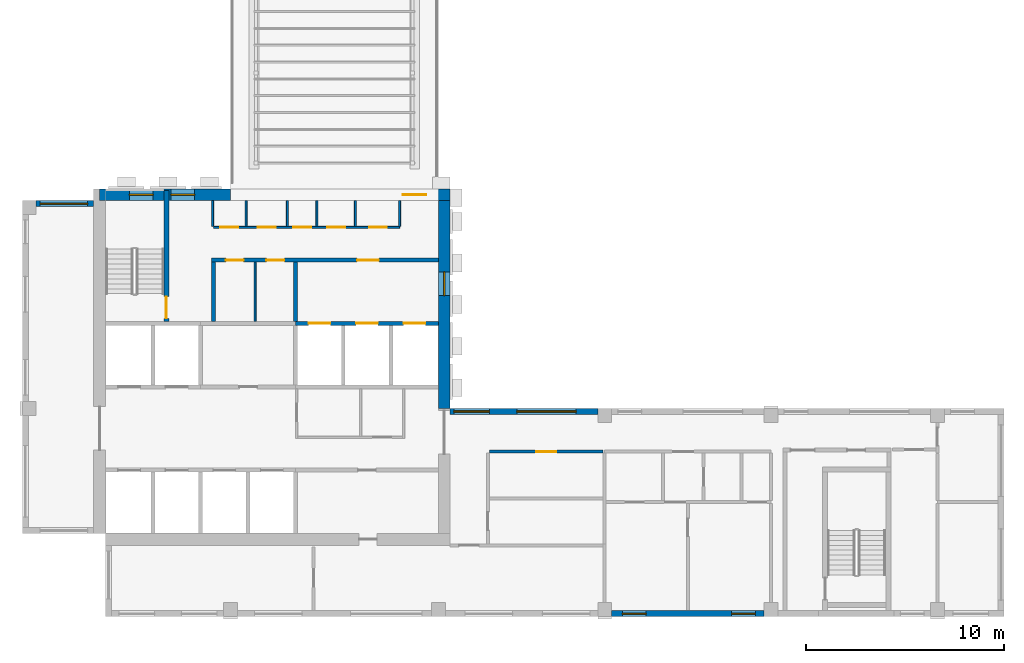
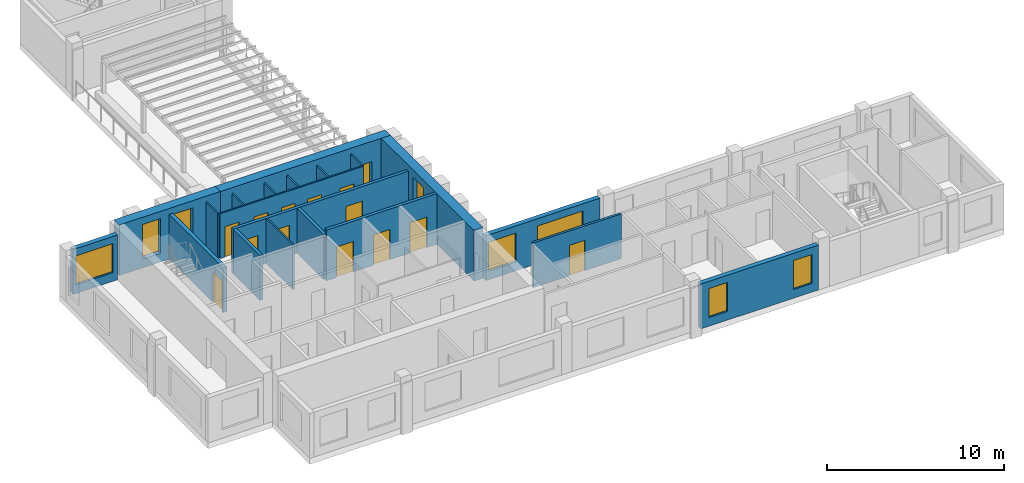
# One storey, part 3 of 9: 20 walls, 14 doors, 8 windows, 22 openings.
"""IFC4 building model written with IfcOpenShell, lengths in metres."""

from ifc_helpers import new_model, si_unit, direction, frame, frame_2d, origin, place, context, subcontext, project, spatial, rectangle, extrude, source, transform, mapped, material, layer, layer_set, type_object, element, fill, save


model = new_model("IFC4")

# Units and contexts
model_context = context("Model", 3, precision=1e-05, world=origin(), true_north=direction((0.0, 1.0)))
body_context = subcontext(model_context, "Body", "Model", "MODEL_VIEW")
ifc_project = project(units=[si_unit("LENGTHUNIT", "METRE"), si_unit("AREAUNIT", "SQUARE_METRE"), si_unit("VOLUMEUNIT", "CUBIC_METRE"), si_unit("PLANEANGLEUNIT", "RADIAN"), si_unit("MASSUNIT", "GRAM", prefix="KILO")], contexts=[model_context])

# Site, building, storey
site_placement = place(None, origin())
site = spatial("IfcSite", under=ifc_project, at=site_placement, CompositionType="ELEMENT")
building_placement = place(site_placement, origin())
building = spatial("IfcBuilding", under=site, at=building_placement, Name="Aurelian Terraces", CompositionType="ELEMENT")
storey_placement = place(building_placement, frame((0.0, 0.0, 309.0)))
storey = spatial("IfcBuildingStorey", under=building, at=storey_placement, Name="L71", CompositionType="ELEMENT", Elevation=309.0)

# Wall, opening, door
ifc_material_1 = material(Name="Concrete fc' 55 MPa", Category="concrete")
ifc_layer_1 = layer(ifc_material_1, 0.6)
ifc_layer_set_1 = layer_set([ifc_layer_1], Name="CORE WALL 600 FC55")
wall_type_1 = type_object("IfcWallType", Name="CORE WALL 600 FC55", PredefinedType="SHEAR", material=ifc_layer_set_1)
shared_shape_1 = source(origin(), body_context, "Body", "SweptSolid", [
    extrude(rectangle(XDim=11.1, YDim=0.6, at=frame_2d((5.55, 0.0))), origin(), (0.0, 0.0, 1.0), 3.5),
])
wall_1_placement = place(storey_placement, frame((10.5, 21.3, 0.0), z_axis=(0.0, 0.0, 1.0), x_axis=(1.0, 0.0, 0.0)))
wall_1 = element("IfcWall", 1, at=wall_1_placement, inside=storey, type_object=wall_type_1, Name="Core wall N L71", PredefinedType="SHEAR", context=body_context, shape_type="MappedRepresentation", body=[
    mapped(shared_shape_1, transform((0.0, 0.0, 0.0), scale=1.0)),
])
shared_shape_2 = source(origin(), body_context, "Body", "SweptSolid", [
    extrude(rectangle(XDim=1.2, YDim=2.1, at=frame_2d((0.6, 1.05))), frame((0.0, 0.31, 0.0), z_axis=(0.0, -1.0, 0.0), x_axis=(1.0, 0.0, 0.0)), (0.0, 0.0, 1.0), 0.62),
])
opening_1_placement = place(wall_1_placement, frame((8.7, 0.0, 0.0)))
opening_1 = element("IfcOpeningElement", 2, at=opening_1_placement, cuts=wall_1, Name="Opening 67430", PredefinedType="OPENING", context=body_context, shape_type="MappedRepresentation", body=[
    mapped(shared_shape_2, transform((0.0, 0.0, 0.0), scale=1.0)),
])
ifc_material_2 = material(Name="Steel door leaf", Category="steel")
door_type_1 = type_object("IfcDoorType", Name="Core fire door 1200x2100", OperationType="SINGLE_SWING_LEFT", PredefinedType="DOOR", material=ifc_material_2)
shared_shape_3 = source(origin(), body_context, "Body", "SweptSolid", [
    extrude(rectangle(XDim=1.2, YDim=2.1, at=frame_2d((0.6, 1.05))), frame((0.0, 0.025, 0.0), z_axis=(0.0, -1.0, 0.0), x_axis=(1.0, 0.0, 0.0)), (0.0, 0.0, 1.0), 0.05),
])
door_1_placement = place(opening_1_placement, origin())
door_1 = element("IfcDoor", 3, at=door_1_placement, inside=storey, type_object=door_type_1, Name="Core door 67430", OperationType="SINGLE_SWING_LEFT", OverallHeight=2.1, OverallWidth=1.2, PredefinedType="DOOR", context=body_context, shape_type="MappedRepresentation", body=[
    mapped(shared_shape_3, transform((0.0, 0.0, 0.0), scale=1.0)),
])
fill(opening_1, door_1)

# Wall, opening, window
shared_shape_4 = source(origin(), body_context, "Body", "SweptSolid", [
    extrude(rectangle(XDim=10.5, YDim=0.6, at=frame_2d((5.25, 0.0))), origin(), (0.0, 0.0, 1.0), 3.5),
])
wall_2_placement = place(storey_placement, frame((21.3, 10.5, 0.0), z_axis=(0.0, 0.0, 1.0), x_axis=(0.0, 1.0, 0.0)))
wall_2 = element("IfcWall", 4, at=wall_2_placement, inside=storey, type_object=wall_type_1, Name="Core wall E L71 exposed", PredefinedType="SHEAR", context=body_context, shape_type="MappedRepresentation", body=[
    mapped(shared_shape_4, transform((0.0, 0.0, 0.0), scale=1.0)),
])
shared_shape_5 = source(origin(), body_context, "Body", "SweptSolid", [
    extrude(rectangle(XDim=1.2, YDim=2.4, at=frame_2d((0.6, 1.2))), frame((0.0, 0.31, 0.0), z_axis=(0.0, -1.0, 0.0), x_axis=(1.0, 0.0, 0.0)), (0.0, 0.0, 1.0), 0.62),
])
opening_2_placement = place(wall_2_placement, frame((5.7, 0.0, 0.6)))
opening_2 = element("IfcOpeningElement", 5, at=opening_2_placement, cuts=wall_2, Name="Opening W-CL", PredefinedType="OPENING", context=body_context, shape_type="MappedRepresentation", body=[
    mapped(shared_shape_5, transform((0.0, 0.0, 0.0), scale=1.0)),
])
ifc_material_3 = material(Name="Fire-resisting glazing", Category="glass")
window_type_1 = type_object("IfcWindowType", Name="Core lobby window 1200x2400", PartitioningType="SINGLE_PANEL", PredefinedType="WINDOW", material=ifc_material_3)
shared_shape_6 = source(origin(), body_context, "Body", "SweptSolid", [
    extrude(rectangle(XDim=1.2, YDim=2.4, at=frame_2d((0.6, 1.2))), frame((0.0, 0.03, 0.0), z_axis=(0.0, -1.0, 0.0), x_axis=(1.0, 0.0, 0.0)), (0.0, 0.0, 1.0), 0.06),
])
window_1_placement = place(opening_2_placement, origin())
window_1 = element("IfcWindow", 6, at=window_1_placement, inside=storey, type_object=window_type_1, Name="Lobby window L71 E22", OverallHeight=2.4, OverallWidth=1.2, PartitioningType="SINGLE_PANEL", PredefinedType="WINDOW", context=body_context, shape_type="MappedRepresentation", body=[
    mapped(shared_shape_6, transform((0.0, 0.0, 0.0), scale=1.0)),
])
fill(opening_2, window_1)

# Wall, openings, windows
shared_shape_7 = source(origin(), body_context, "Body", "SweptSolid", [
    extrude(rectangle(XDim=6.6, YDim=0.6, at=frame_2d((3.3, 0.0))), origin(), (0.0, 0.0, 1.0), 3.5),
])
wall_3_placement = place(storey_placement, frame((3.9, 21.3, 0.0), z_axis=(0.0, 0.0, 1.0), x_axis=(1.0, 0.0, 0.0)))
wall_3 = element("IfcWall", 7, at=wall_3_placement, inside=storey, type_object=wall_type_1, Name="Core wall N L71 exposed", PredefinedType="SHEAR", context=body_context, shape_type="MappedRepresentation", body=[
    mapped(shared_shape_7, transform((0.0, 0.0, 0.0), scale=1.0)),
])
opening_3_placement = place(wall_3_placement, frame((1.5, 0.0, 0.6)))
opening_3 = element("IfcOpeningElement", 8, at=opening_3_placement, cuts=wall_3, Name="Opening W-CL", PredefinedType="OPENING", context=body_context, shape_type="MappedRepresentation", body=[
    mapped(shared_shape_5, transform((0.0, 0.0, 0.0), scale=1.0)),
])
opening_4_placement = place(wall_3_placement, frame((3.6, 0.0, 0.6)))
opening_4 = element("IfcOpeningElement", 9, at=opening_4_placement, cuts=wall_3, Name="Opening W-CL", PredefinedType="OPENING", context=body_context, shape_type="MappedRepresentation", body=[
    mapped(shared_shape_5, transform((0.0, 0.0, 0.0), scale=1.0)),
])
window_2_placement = place(opening_3_placement, origin())
window_2 = element("IfcWindow", 10, at=window_2_placement, inside=storey, type_object=window_type_1, Name="Lobby window L71 N23", OverallHeight=2.4, OverallWidth=1.2, PartitioningType="SINGLE_PANEL", PredefinedType="WINDOW", context=body_context, shape_type="MappedRepresentation", body=[
    mapped(shared_shape_6, transform((0.0, 0.0, 0.0), scale=1.0)),
])
fill(opening_3, window_2)
window_3_placement = place(opening_4_placement, origin())
window_3 = element("IfcWindow", 11, at=window_3_placement, inside=storey, type_object=window_type_1, Name="Lobby window L71 N24", OverallHeight=2.4, OverallWidth=1.2, PartitioningType="SINGLE_PANEL", PredefinedType="WINDOW", context=body_context, shape_type="MappedRepresentation", body=[
    mapped(shared_shape_6, transform((0.0, 0.0, 0.0), scale=1.0)),
])
fill(opening_4, window_3)

ifc_material_4 = material(Name="Terracotta rainscreen cladding", Category="masonry")
ifc_layer_2 = layer(ifc_material_4, 0.3)
ifc_layer_set_2 = layer_set([ifc_layer_2], Name="EW-300")
wall_type_2 = type_object("IfcWallType", Name="EW-300", PredefinedType="STANDARD", material=ifc_layer_set_2)
shared_shape_8 = source(origin(), body_context, "Body", "SweptSolid", [
    extrude(rectangle(XDim=7.7, YDim=0.3, at=frame_2d((3.85, 0.0))), origin(), (0.0, 0.0, 1.0), 3.1),
])
wall_4_placement = place(storey_placement, frame((29.75, 0.15, 0.0), z_axis=(0.0, 0.0, 1.0), x_axis=(1.0, 0.0, 0.0)))
wall_4 = element("IfcWall", 12, at=wall_4_placement, inside=storey, type_object=wall_type_2, Name="External wall L71 F01.4", PredefinedType="STANDARD", context=body_context, shape_type="MappedRepresentation", body=[
    mapped(shared_shape_8, transform((0.0, 0.0, 0.0), scale=1.0)),
])
shared_shape_9 = source(origin(), body_context, "Body", "SweptSolid", [
    extrude(rectangle(XDim=1.2, YDim=2.0, at=frame_2d((0.6, 1.0))), frame((0.0, 0.16, 0.0), z_axis=(0.0, -1.0, 0.0), x_axis=(1.0, 0.0, 0.0)), (0.0, 0.0, 1.0), 0.32),
])
opening_5_placement = place(wall_4_placement, frame((0.5375, 0.0, 0.6)))
opening_5 = element("IfcOpeningElement", 13, at=opening_5_placement, cuts=wall_4, Name="Opening W1220", PredefinedType="OPENING", context=body_context, shape_type="MappedRepresentation", body=[
    mapped(shared_shape_9, transform((0.0, 0.0, 0.0), scale=1.0)),
])
opening_6_placement = place(wall_4_placement, frame((6.0625, 0.0, 0.6)))
opening_6 = element("IfcOpeningElement", 14, at=opening_6_placement, cuts=wall_4, Name="Opening W1220", PredefinedType="OPENING", context=body_context, shape_type="MappedRepresentation", body=[
    mapped(shared_shape_9, transform((0.0, 0.0, 0.0), scale=1.0)),
])
ifc_material_5 = material(Name="Clear glazing", Category="glass")
window_type_2 = type_object("IfcWindowType", Name="W-1200x2000", PartitioningType="SINGLE_PANEL", PredefinedType="WINDOW", material=ifc_material_5)
shared_shape_10 = source(origin(), body_context, "Body", "SweptSolid", [
    extrude(rectangle(XDim=1.2, YDim=2.0, at=frame_2d((0.6, 1.0))), frame((0.0, 0.03, 0.0), z_axis=(0.0, -1.0, 0.0), x_axis=(1.0, 0.0, 0.0)), (0.0, 0.0, 1.0), 0.06),
])
window_4_placement = place(opening_5_placement, origin())
window_4 = element("IfcWindow", 15, at=window_4_placement, inside=storey, type_object=window_type_2, Name="Window L71 L71-F01-04-0", OverallHeight=2.0, OverallWidth=1.2, PartitioningType="SINGLE_PANEL", PredefinedType="WINDOW", context=body_context, shape_type="MappedRepresentation", body=[
    mapped(shared_shape_10, transform((0.0, 0.0, 0.0), scale=1.0)),
])
fill(opening_5, window_4)
window_5_placement = place(opening_6_placement, origin())
window_5 = element("IfcWindow", 16, at=window_5_placement, inside=storey, type_object=window_type_2, Name="Window L71 L71-F01-04-1", OverallHeight=2.0, OverallWidth=1.2, PartitioningType="SINGLE_PANEL", PredefinedType="WINDOW", context=body_context, shape_type="MappedRepresentation", body=[
    mapped(shared_shape_10, transform((0.0, 0.0, 0.0), scale=1.0)),
])
fill(opening_6, window_5)

shared_shape_11 = source(origin(), body_context, "Body", "SweptSolid", [
    extrude(rectangle(XDim=7.45, YDim=0.3, at=frame_2d((3.725, 0.0))), origin(), (0.0, 0.0, 1.0), 3.1),
])
wall_5_placement = place(storey_placement, frame((29.05, 10.35, 0.0), z_axis=(0.0, 0.0, 1.0), x_axis=(-1.0, 0.0, 0.0)))
wall_5 = element("IfcWall", 17, at=wall_5_placement, inside=storey, type_object=wall_type_2, Name="External wall L71 F03.8", PredefinedType="STANDARD", context=body_context, shape_type="MappedRepresentation", body=[
    mapped(shared_shape_11, transform((0.0, 0.0, 0.0), scale=1.0)),
])
shared_shape_12 = source(origin(), body_context, "Body", "SweptSolid", [
    extrude(rectangle(XDim=3.0, YDim=2.0, at=frame_2d((1.5, 1.0))), frame((0.0, 0.16, 0.0), z_axis=(0.0, -1.0, 0.0), x_axis=(1.0, 0.0, 0.0)), (0.0, 0.0, 1.0), 0.32),
])
opening_7_placement = place(wall_5_placement, frame((1.09, 0.0, 0.6)))
opening_7 = element("IfcOpeningElement", 18, at=opening_7_placement, cuts=wall_5, Name="Opening W3020", PredefinedType="OPENING", context=body_context, shape_type="MappedRepresentation", body=[
    mapped(shared_shape_12, transform((0.0, 0.0, 0.0), scale=1.0)),
])
shared_shape_13 = source(origin(), body_context, "Body", "SweptSolid", [
    extrude(rectangle(XDim=1.8, YDim=2.0, at=frame_2d((0.9, 1.0))), frame((0.0, 0.16, 0.0), z_axis=(0.0, -1.0, 0.0), x_axis=(1.0, 0.0, 0.0)), (0.0, 0.0, 1.0), 0.32),
])
opening_8_placement = place(wall_5_placement, frame((5.47, 0.0, 0.6)))
opening_8 = element("IfcOpeningElement", 19, at=opening_8_placement, cuts=wall_5, Name="Opening W1820", PredefinedType="OPENING", context=body_context, shape_type="MappedRepresentation", body=[
    mapped(shared_shape_13, transform((0.0, 0.0, 0.0), scale=1.0)),
])
window_type_3 = type_object("IfcWindowType", Name="W-3000x2000", PartitioningType="SINGLE_PANEL", PredefinedType="WINDOW", material=ifc_material_5)
shared_shape_14 = source(origin(), body_context, "Body", "SweptSolid", [
    extrude(rectangle(XDim=3.0, YDim=2.0, at=frame_2d((1.5, 1.0))), frame((0.0, 0.03, 0.0), z_axis=(0.0, -1.0, 0.0), x_axis=(1.0, 0.0, 0.0)), (0.0, 0.0, 1.0), 0.06),
])
window_6_placement = place(opening_7_placement, origin())
window_6 = element("IfcWindow", 20, at=window_6_placement, inside=storey, type_object=window_type_3, Name="Window L71 L71-F03-08-5", OverallHeight=2.0, OverallWidth=3.0, PartitioningType="SINGLE_PANEL", PredefinedType="WINDOW", context=body_context, shape_type="MappedRepresentation", body=[
    mapped(shared_shape_14, transform((0.0, 0.0, 0.0), scale=1.0)),
])
fill(opening_7, window_6)
window_type_4 = type_object("IfcWindowType", Name="W-1800x2000", PartitioningType="SINGLE_PANEL", PredefinedType="WINDOW", material=ifc_material_5)
shared_shape_15 = source(origin(), body_context, "Body", "SweptSolid", [
    extrude(rectangle(XDim=1.8, YDim=2.0, at=frame_2d((0.9, 1.0))), frame((0.0, 0.03, 0.0), z_axis=(0.0, -1.0, 0.0), x_axis=(1.0, 0.0, 0.0)), (0.0, 0.0, 1.0), 0.06),
])
window_7_placement = place(opening_8_placement, origin())
window_7 = element("IfcWindow", 21, at=window_7_placement, inside=storey, type_object=window_type_4, Name="Window L71 L71-F03-08-6", OverallHeight=2.0, OverallWidth=1.8, PartitioningType="SINGLE_PANEL", PredefinedType="WINDOW", context=body_context, shape_type="MappedRepresentation", body=[
    mapped(shared_shape_15, transform((0.0, 0.0, 0.0), scale=1.0)),
])
fill(opening_8, window_7)

# Wall, opening, window
shared_shape_16 = source(origin(), body_context, "Body", "SweptSolid", [
    extrude(rectangle(XDim=2.9, YDim=0.3, at=frame_2d((1.45, 0.0))), origin(), (0.0, 0.0, 1.0), 3.1),
])
wall_6_placement = place(storey_placement, frame((3.6, 20.85, 0.0), z_axis=(0.0, 0.0, 1.0), x_axis=(-1.0, 0.0, 0.0)))
wall_6 = element("IfcWall", 22, at=wall_6_placement, inside=storey, type_object=wall_type_2, Name="External wall L71 F11.17", PredefinedType="STANDARD", context=body_context, shape_type="MappedRepresentation", body=[
    mapped(shared_shape_16, transform((0.0, 0.0, 0.0), scale=1.0)),
])
shared_shape_17 = source(origin(), body_context, "Body", "SweptSolid", [
    extrude(rectangle(XDim=2.4, YDim=2.0, at=frame_2d((1.2, 1.0))), frame((0.0, 0.16, 0.0), z_axis=(0.0, -1.0, 0.0), x_axis=(1.0, 0.0, 0.0)), (0.0, 0.0, 1.0), 0.32),
])
opening_9_placement = place(wall_6_placement, frame((0.3, 0.0, 0.6)))
opening_9 = element("IfcOpeningElement", 23, at=opening_9_placement, cuts=wall_6, Name="Opening W2420", PredefinedType="OPENING", context=body_context, shape_type="MappedRepresentation", body=[
    mapped(shared_shape_17, transform((0.0, 0.0, 0.0), scale=1.0)),
])
window_type_5 = type_object("IfcWindowType", Name="W-2400x2000", PartitioningType="SINGLE_PANEL", PredefinedType="WINDOW", material=ifc_material_5)
shared_shape_18 = source(origin(), body_context, "Body", "SweptSolid", [
    extrude(rectangle(XDim=2.4, YDim=2.0, at=frame_2d((1.2, 1.0))), frame((0.0, 0.03, 0.0), z_axis=(0.0, -1.0, 0.0), x_axis=(1.0, 0.0, 0.0)), (0.0, 0.0, 1.0), 0.06),
])
window_8_placement = place(opening_9_placement, origin())
window_8 = element("IfcWindow", 24, at=window_8_placement, inside=storey, type_object=window_type_5, Name="Window L71 L71-F11-17-0", OverallHeight=2.0, OverallWidth=2.4, PartitioningType="SINGLE_PANEL", PredefinedType="WINDOW", context=body_context, shape_type="MappedRepresentation", body=[
    mapped(shared_shape_18, transform((0.0, 0.0, 0.0), scale=1.0)),
])
fill(opening_9, window_8)

# Wall, openings, doors
ifc_material_6 = material(Name="Concrete fc' 40 MPa", Category="concrete")
ifc_layer_3 = layer(ifc_material_6, 0.2)
ifc_layer_set_3 = layer_set([ifc_layer_3], Name="Lift shaft wall 200")
wall_type_3 = type_object("IfcWallType", Name="Lift shaft wall 200", PredefinedType="SOLIDWALL", material=ifc_layer_set_3)
shared_shape_19 = source(origin(), body_context, "Body", "SweptSolid", [
    extrude(rectangle(XDim=7.2, YDim=0.2, at=frame_2d((3.6, 0.0))), origin(), (0.0, 0.0, 1.0), 3.5),
])
wall_7_placement = place(storey_placement, frame((13.8, 14.8, 0.0), z_axis=(0.0, 0.0, 1.0), x_axis=(1.0, 0.0, 0.0)))
wall_7 = element("IfcWall", 25, at=wall_7_placement, inside=storey, type_object=wall_type_3, Name="L71 core wall CF-BB3", PredefinedType="SOLIDWALL", context=body_context, shape_type="MappedRepresentation", body=[
    mapped(shared_shape_19, transform((0.0, 0.0, 0.0), scale=1.0)),
])
shared_shape_20 = source(origin(), body_context, "Body", "SweptSolid", [
    extrude(rectangle(XDim=1.1, YDim=2.1, at=frame_2d((0.55, 1.05))), frame((0.0, 0.11, 0.0), z_axis=(0.0, -1.0, 0.0), x_axis=(1.0, 0.0, 0.0)), (0.0, 0.0, 1.0), 0.22),
])
opening_10_placement = place(wall_7_placement, frame((0.65, 0.0, 0.0)))
opening_10 = element("IfcOpeningElement", 26, at=opening_10_placement, cuts=wall_7, Name="Opening 67408", PredefinedType="OPENING", context=body_context, shape_type="MappedRepresentation", body=[
    mapped(shared_shape_20, transform((0.0, 0.0, 0.0), scale=1.0)),
])
opening_11_placement = place(wall_7_placement, frame((3.05, 0.0, 0.0)))
opening_11 = element("IfcOpeningElement", 27, at=opening_11_placement, cuts=wall_7, Name="Opening 67409", PredefinedType="OPENING", context=body_context, shape_type="MappedRepresentation", body=[
    mapped(shared_shape_20, transform((0.0, 0.0, 0.0), scale=1.0)),
])
opening_12_placement = place(wall_7_placement, frame((5.45, 0.0, 0.0)))
opening_12 = element("IfcOpeningElement", 28, at=opening_12_placement, cuts=wall_7, Name="Opening 67410", PredefinedType="OPENING", context=body_context, shape_type="MappedRepresentation", body=[
    mapped(shared_shape_20, transform((0.0, 0.0, 0.0), scale=1.0)),
])
ifc_material_7 = material(Name="Stainless steel", Category="steel")
door_type_2 = type_object("IfcDoorType", Name="Lift landing door 1100x2100", OperationType="SLIDING_TO_LEFT", PredefinedType="DOOR", material=ifc_material_7)
shared_shape_21 = source(origin(), body_context, "Body", "SweptSolid", [
    extrude(rectangle(XDim=1.1, YDim=2.1, at=frame_2d((0.55, 1.05))), frame((0.0, 0.025, 0.0), z_axis=(0.0, -1.0, 0.0), x_axis=(1.0, 0.0, 0.0)), (0.0, 0.0, 1.0), 0.05),
])
door_2_placement = place(opening_10_placement, origin())
door_2 = element("IfcDoor", 29, at=door_2_placement, inside=storey, type_object=door_type_2, Name="Lift landing door F1 L71", OperationType="SLIDING_TO_LEFT", OverallHeight=2.1, OverallWidth=1.1, PredefinedType="DOOR", context=body_context, shape_type="MappedRepresentation", body=[
    mapped(shared_shape_21, transform((0.0, 0.0, 0.0), scale=1.0)),
])
fill(opening_10, door_2)
door_3_placement = place(opening_11_placement, origin())
door_3 = element("IfcDoor", 30, at=door_3_placement, inside=storey, type_object=door_type_2, Name="Lift landing door F2 L71", OperationType="SLIDING_TO_LEFT", OverallHeight=2.1, OverallWidth=1.1, PredefinedType="DOOR", context=body_context, shape_type="MappedRepresentation", body=[
    mapped(shared_shape_21, transform((0.0, 0.0, 0.0), scale=1.0)),
])
fill(opening_11, door_3)
door_4_placement = place(opening_12_placement, origin())
door_4 = element("IfcDoor", 31, at=door_4_placement, inside=storey, type_object=door_type_2, Name="Lift landing door F3 L71", OperationType="SLIDING_TO_LEFT", OverallHeight=2.1, OverallWidth=1.1, PredefinedType="DOOR", context=body_context, shape_type="MappedRepresentation", body=[
    mapped(shared_shape_21, transform((0.0, 0.0, 0.0), scale=1.0)),
])
fill(opening_12, door_4)

# Walls
ifc_material_8 = material(Name="Gypsum board on steel studs", Category="steel")
ifc_layer_4 = layer(ifc_material_8, 0.2)
ifc_layer_set_4 = layer_set([ifc_layer_4], Name="Core partition 200")
wall_type_4 = type_object("IfcWallType", Name="Core partition 200", PredefinedType="PARTITIONING", material=ifc_layer_set_4)
shared_shape_22 = source(origin(), body_context, "Body", "SweptSolid", [
    extrude(rectangle(XDim=3.0, YDim=0.2, at=frame_2d((1.5, 0.0))), origin(), (0.0, 0.0, 1.0), 3.1),
])
for number, where, z_axis, x_axis, name in (
    (32, (9.65, 14.9, 0.0), (0.0, 0.0, 1.0), (0.0, 1.0, 0.0), "L71 core wall CP-VEST"),
    (33, (13.8, 14.9, 0.0), (0.0, 0.0, 1.0), (0.0, 1.0, 0.0), "L71 core wall CP-FFL"),
):
    element("IfcWall", number, at=place(storey_placement, frame(where, z_axis=z_axis, x_axis=x_axis)), inside=storey, type_object=wall_type_4, Name=name, PredefinedType="PARTITIONING", context=body_context, shape_type="MappedRepresentation", body=[
        mapped(shared_shape_22, transform((0.0, 0.0, 0.0), scale=1.0)),
    ])

# Wall, opening, door
ifc_layer_5 = layer(ifc_material_6, 0.25)
ifc_layer_set_5 = layer_set([ifc_layer_5], Name="Stair enclosure wall 250")
wall_type_5 = type_object("IfcWallType", Name="Stair enclosure wall 250", PredefinedType="SOLIDWALL", material=ifc_layer_set_5)
shared_shape_23 = source(origin(), body_context, "Body", "SweptSolid", [
    extrude(rectangle(XDim=6.6, YDim=0.25, at=frame_2d((3.3, 0.0))), origin(), (0.0, 0.0, 1.0), 3.1),
])
wall_8_placement = place(storey_placement, frame((7.275, 14.9, 0.0), z_axis=(0.0, 0.0, 1.0), x_axis=(0.0, 1.0, 0.0)))
wall_8 = element("IfcWall", 34, at=wall_8_placement, inside=storey, type_object=wall_type_5, Name="L71 core wall ST-S1-E", PredefinedType="SOLIDWALL", context=body_context, shape_type="MappedRepresentation", body=[
    mapped(shared_shape_23, transform((0.0, 0.0, 0.0), scale=1.0)),
])
shared_shape_24 = source(origin(), body_context, "Body", "SweptSolid", [
    extrude(rectangle(XDim=1.1, YDim=2.1, at=frame_2d((0.55, 1.05))), frame((0.0, 0.135, 0.0), z_axis=(0.0, -1.0, 0.0), x_axis=(1.0, 0.0, 0.0)), (0.0, 0.0, 1.0), 0.27),
])
opening_13_placement = place(wall_8_placement, frame((0.15, 0.0, 0.0)))
opening_13 = element("IfcOpeningElement", 35, at=opening_13_placement, cuts=wall_8, Name="Opening 67411", PredefinedType="OPENING", context=body_context, shape_type="MappedRepresentation", body=[
    mapped(shared_shape_24, transform((0.0, 0.0, 0.0), scale=1.0)),
])
door_type_3 = type_object("IfcDoorType", Name="Core fire door 1100x2100 right", OperationType="SINGLE_SWING_RIGHT", PredefinedType="DOOR", material=ifc_material_2)
door_5_placement = place(opening_13_placement, origin())
door_5 = element("IfcDoor", 36, at=door_5_placement, inside=storey, type_object=door_type_3, Name="Stair door 67411", OperationType="SINGLE_SWING_RIGHT", OverallHeight=2.1, OverallWidth=1.1, PredefinedType="DOOR", context=body_context, shape_type="MappedRepresentation", body=[
    mapped(shared_shape_21, transform((0.0, 0.0, 0.0), scale=1.0)),
])
fill(opening_13, door_5)

# Wall, openings, doors
shared_shape_25 = source(origin(), body_context, "Body", "SweptSolid", [
    extrude(rectangle(XDim=11.45, YDim=0.2, at=frame_2d((5.725, 0.0))), origin(), (0.0, 0.0, 1.0), 3.1),
])
wall_9_placement = place(storey_placement, frame((9.55, 18.0, 0.0), z_axis=(0.0, 0.0, 1.0), x_axis=(1.0, 0.0, 0.0)))
wall_9 = element("IfcWall", 37, at=wall_9_placement, inside=storey, type_object=wall_type_4, Name="L71 core wall CP-NORTH", PredefinedType="PARTITIONING", context=body_context, shape_type="MappedRepresentation", body=[
    mapped(shared_shape_25, transform((0.0, 0.0, 0.0), scale=1.0)),
])
shared_shape_26 = source(origin(), body_context, "Body", "SweptSolid", [
    extrude(rectangle(XDim=0.9, YDim=2.1, at=frame_2d((0.45, 1.05))), frame((0.0, 0.11, 0.0), z_axis=(0.0, -1.0, 0.0), x_axis=(1.0, 0.0, 0.0)), (0.0, 0.0, 1.0), 0.22),
])
opening_14_placement = place(wall_9_placement, frame((0.725, 0.0, 0.0)))
opening_14 = element("IfcOpeningElement", 38, at=opening_14_placement, cuts=wall_9, Name="Opening 67412", PredefinedType="OPENING", context=body_context, shape_type="MappedRepresentation", body=[
    mapped(shared_shape_26, transform((0.0, 0.0, 0.0), scale=1.0)),
])
opening_15_placement = place(wall_9_placement, frame((2.775, 0.0, 0.0)))
opening_15 = element("IfcOpeningElement", 39, at=opening_15_placement, cuts=wall_9, Name="Opening 67413", PredefinedType="OPENING", context=body_context, shape_type="MappedRepresentation", body=[
    mapped(shared_shape_26, transform((0.0, 0.0, 0.0), scale=1.0)),
])
opening_16_placement = place(wall_9_placement, frame((7.35, 0.0, 0.0)))
opening_16 = element("IfcOpeningElement", 40, at=opening_16_placement, cuts=wall_9, Name="Opening 67414", PredefinedType="OPENING", context=body_context, shape_type="MappedRepresentation", body=[
    mapped(shared_shape_20, transform((0.0, 0.0, 0.0), scale=1.0)),
])
door_type_4 = type_object("IfcDoorType", Name="Core service door 900x2100", OperationType="SINGLE_SWING_LEFT", PredefinedType="DOOR", material=ifc_material_2)
shared_shape_27 = source(origin(), body_context, "Body", "SweptSolid", [
    extrude(rectangle(XDim=0.9, YDim=2.1, at=frame_2d((0.45, 1.05))), frame((0.0, 0.025, 0.0), z_axis=(0.0, -1.0, 0.0), x_axis=(1.0, 0.0, 0.0)), (0.0, 0.0, 1.0), 0.05),
])
door_6_placement = place(opening_14_placement, origin())
door_6 = element("IfcDoor", 41, at=door_6_placement, inside=storey, type_object=door_type_4, Name="Room door 67412", OperationType="SINGLE_SWING_LEFT", OverallHeight=2.1, OverallWidth=0.9, PredefinedType="DOOR", context=body_context, shape_type="MappedRepresentation", body=[
    mapped(shared_shape_27, transform((0.0, 0.0, 0.0), scale=1.0)),
])
fill(opening_14, door_6)
door_type_5 = type_object("IfcDoorType", Name="Core service door 900x2100 right", OperationType="SINGLE_SWING_RIGHT", PredefinedType="DOOR", material=ifc_material_2)
door_7_placement = place(opening_15_placement, origin())
door_7 = element("IfcDoor", 42, at=door_7_placement, inside=storey, type_object=door_type_5, Name="Room door 67413", OperationType="SINGLE_SWING_RIGHT", OverallHeight=2.1, OverallWidth=0.9, PredefinedType="DOOR", context=body_context, shape_type="MappedRepresentation", body=[
    mapped(shared_shape_27, transform((0.0, 0.0, 0.0), scale=1.0)),
])
fill(opening_15, door_7)
door_type_6 = type_object("IfcDoorType", Name="Core fire door 1100x2100", OperationType="SINGLE_SWING_LEFT", PredefinedType="DOOR", material=ifc_material_2)
door_8_placement = place(opening_16_placement, origin())
door_8 = element("IfcDoor", 43, at=door_8_placement, inside=storey, type_object=door_type_6, Name="Ff lobby door 67414", OperationType="SINGLE_SWING_LEFT", OverallHeight=2.1, OverallWidth=1.1, PredefinedType="DOOR", context=body_context, shape_type="MappedRepresentation", body=[
    mapped(shared_shape_21, transform((0.0, 0.0, 0.0), scale=1.0)),
])
fill(opening_16, door_8)

# Walls
ifc_layer_6 = layer(ifc_material_8, 0.1)
ifc_layer_set_6 = layer_set([ifc_layer_6], Name="Core partition 100")
wall_type_6 = type_object("IfcWallType", Name="Core partition 100", PredefinedType="PARTITIONING", material=ifc_layer_set_6)
shared_shape_28 = source(origin(), body_context, "Body", "SweptSolid", [
    extrude(rectangle(XDim=3.0, YDim=0.1, at=frame_2d((1.5, 0.0))), origin(), (0.0, 0.0, 1.0), 3.1),
])
wall_10_placement = place(storey_placement, frame((11.75, 14.9, 0.0), z_axis=(0.0, 0.0, 1.0), x_axis=(0.0, 1.0, 0.0)))
element("IfcWall", 44, at=wall_10_placement, inside=storey, type_object=wall_type_6, Name="L71 core wall CP-SV1", PredefinedType="PARTITIONING", context=body_context, shape_type="MappedRepresentation", body=[
    mapped(shared_shape_28, transform((0.0, 0.0, 0.0), scale=1.0)),
])
shared_shape_29 = source(origin(), body_context, "Body", "SweptSolid", [
    extrude(rectangle(XDim=1.3, YDim=0.1, at=frame_2d((0.65, 0.0))), origin(), (0.0, 0.0, 1.0), 3.1),
])
for number, where, z_axis, x_axis, name in (
    (45, (11.2913, 19.7, 0.0), (0.0, 0.0, 1.0), (0.0, 1.0, 0.0), "L71 core wall SV-NP1"),
    (46, (13.3802, 19.7, 0.0), (0.0, 0.0, 1.0), (0.0, 1.0, 0.0), "L71 core wall SV-NP2"),
    (47, (14.8722, 19.7, 0.0), (0.0, 0.0, 1.0), (0.0, 1.0, 0.0), "L71 core wall SV-NP3"),
    (48, (16.8119, 19.7, 0.0), (0.0, 0.0, 1.0), (0.0, 1.0, 0.0), "L71 core wall SV-NP4"),
    (49, (9.6, 19.7, 0.0), (0.0, 0.0, 1.0), (0.0, 1.0, 0.0), "L71 core wall SV-NW0"),
    (50, (19.05, 19.7, 0.0), (0.0, 0.0, 1.0), (0.0, 1.0, 0.0), "L71 core wall SV-NW1"),
):
    element("IfcWall", number, at=place(storey_placement, frame(where, z_axis=z_axis, x_axis=x_axis)), inside=storey, type_object=wall_type_6, Name=name, PredefinedType="PARTITIONING", context=body_context, shape_type="MappedRepresentation", body=[
        mapped(shared_shape_29, transform((0.0, 0.0, 0.0), scale=1.0)),
    ])

# Wall, openings, doors
shared_shape_30 = source(origin(), body_context, "Body", "SweptSolid", [
    extrude(rectangle(XDim=9.4, YDim=0.1, at=frame_2d((4.7, 0.0))), origin(), (0.0, 0.0, 1.0), 3.1),
])
wall_11_placement = place(storey_placement, frame((9.65, 19.65, 0.0), z_axis=(0.0, 0.0, 1.0), x_axis=(1.0, 0.0, 0.0)))
wall_11 = element("IfcWall", 51, at=wall_11_placement, inside=storey, type_object=wall_type_6, Name="L71 core wall SV-N1", PredefinedType="PARTITIONING", context=body_context, shape_type="MappedRepresentation", body=[
    mapped(shared_shape_30, transform((0.0, 0.0, 0.0), scale=1.0)),
])
shared_shape_31 = source(origin(), body_context, "Body", "SweptSolid", [
    extrude(rectangle(XDim=0.9, YDim=2.1, at=frame_2d((0.45, 1.05))), frame((0.0, 0.06, 0.0), z_axis=(0.0, -1.0, 0.0), x_axis=(1.0, 0.0, 0.0)), (0.0, 0.0, 1.0), 0.12),
])
opening_17_placement = place(wall_11_placement, frame((0.3457, 0.0, 0.0)))
opening_17 = element("IfcOpeningElement", 52, at=opening_17_placement, cuts=wall_11, Name="Opening 67415", PredefinedType="OPENING", context=body_context, shape_type="MappedRepresentation", body=[
    mapped(shared_shape_31, transform((0.0, 0.0, 0.0), scale=1.0)),
])
opening_18_placement = place(wall_11_placement, frame((2.2358, 0.0, 0.0)))
opening_18 = element("IfcOpeningElement", 53, at=opening_18_placement, cuts=wall_11, Name="Opening 67416", PredefinedType="OPENING", context=body_context, shape_type="MappedRepresentation", body=[
    mapped(shared_shape_31, transform((0.0, 0.0, 0.0), scale=1.0)),
])
opening_19_placement = place(wall_11_placement, frame((4.0262, 0.0, 0.0)))
opening_19 = element("IfcOpeningElement", 54, at=opening_19_placement, cuts=wall_11, Name="Opening 67417", PredefinedType="OPENING", context=body_context, shape_type="MappedRepresentation", body=[
    mapped(shared_shape_31, transform((0.0, 0.0, 0.0), scale=1.0)),
])
opening_20_placement = place(wall_11_placement, frame((5.7421, 0.0, 0.0)))
opening_20 = element("IfcOpeningElement", 55, at=opening_20_placement, cuts=wall_11, Name="Opening 67418", PredefinedType="OPENING", context=body_context, shape_type="MappedRepresentation", body=[
    mapped(shared_shape_31, transform((0.0, 0.0, 0.0), scale=1.0)),
])
opening_21_placement = place(wall_11_placement, frame((7.856, 0.0, 0.0)))
opening_21 = element("IfcOpeningElement", 56, at=opening_21_placement, cuts=wall_11, Name="Opening 67419", PredefinedType="OPENING", context=body_context, shape_type="MappedRepresentation", body=[
    mapped(shared_shape_31, transform((0.0, 0.0, 0.0), scale=1.0)),
])
door_9_placement = place(opening_17_placement, origin())
door_9 = element("IfcDoor", 57, at=door_9_placement, inside=storey, type_object=door_type_5, Name="Room door 67415", OperationType="SINGLE_SWING_RIGHT", OverallHeight=2.1, OverallWidth=0.9, PredefinedType="DOOR", context=body_context, shape_type="MappedRepresentation", body=[
    mapped(shared_shape_27, transform((0.0, 0.0, 0.0), scale=1.0)),
])
fill(opening_17, door_9)
door_10_placement = place(opening_18_placement, origin())
door_10 = element("IfcDoor", 58, at=door_10_placement, inside=storey, type_object=door_type_4, Name="Room door 67416", OperationType="SINGLE_SWING_LEFT", OverallHeight=2.1, OverallWidth=0.9, PredefinedType="DOOR", context=body_context, shape_type="MappedRepresentation", body=[
    mapped(shared_shape_27, transform((0.0, 0.0, 0.0), scale=1.0)),
])
fill(opening_18, door_10)
door_11_placement = place(opening_19_placement, origin())
door_11 = element("IfcDoor", 59, at=door_11_placement, inside=storey, type_object=door_type_5, Name="Room door 67417", OperationType="SINGLE_SWING_RIGHT", OverallHeight=2.1, OverallWidth=0.9, PredefinedType="DOOR", context=body_context, shape_type="MappedRepresentation", body=[
    mapped(shared_shape_27, transform((0.0, 0.0, 0.0), scale=1.0)),
])
fill(opening_19, door_11)
door_12_placement = place(opening_20_placement, origin())
door_12 = element("IfcDoor", 60, at=door_12_placement, inside=storey, type_object=door_type_4, Name="Room door 67418", OperationType="SINGLE_SWING_LEFT", OverallHeight=2.1, OverallWidth=0.9, PredefinedType="DOOR", context=body_context, shape_type="MappedRepresentation", body=[
    mapped(shared_shape_27, transform((0.0, 0.0, 0.0), scale=1.0)),
])
fill(opening_20, door_12)
door_13_placement = place(opening_21_placement, origin())
door_13 = element("IfcDoor", 61, at=door_13_placement, inside=storey, type_object=door_type_5, Name="Room door 67419", OperationType="SINGLE_SWING_RIGHT", OverallHeight=2.1, OverallWidth=0.9, PredefinedType="DOOR", context=body_context, shape_type="MappedRepresentation", body=[
    mapped(shared_shape_27, transform((0.0, 0.0, 0.0), scale=1.0)),
])
fill(opening_21, door_13)

# Wall, opening, door
ifc_layer_7 = layer(ifc_material_8, 0.15)
ifc_layer_set_7 = layer_set([ifc_layer_7], Name="Fire partition 150")
wall_type_7 = type_object("IfcWallType", Name="Fire partition 150", PredefinedType="PARTITIONING", material=ifc_layer_set_7)
shared_shape_32 = source(origin(), body_context, "Body", "SweptSolid", [
    extrude(rectangle(XDim=5.75, YDim=0.15, at=frame_2d((2.875, 0.0))), origin(), (0.0, 0.0, 1.0), 3.1),
])
wall_12_placement = place(storey_placement, frame((29.325, 8.325, 0.0), z_axis=(0.0, 0.0, 1.0), x_axis=(-1.0, 0.0, 0.0)))
wall_12 = element("IfcWall", 62, at=wall_12_placement, inside=storey, type_object=wall_type_7, Name="Corridor wall", PredefinedType="PARTITIONING", context=body_context, shape_type="MappedRepresentation", body=[
    mapped(shared_shape_32, transform((0.0, 0.0, 0.0), scale=1.0)),
])
shared_shape_33 = source(origin(), body_context, "Body", "SweptSolid", [
    extrude(rectangle(XDim=1.0, YDim=2.1, at=frame_2d((0.5, 1.05))), frame((0.0, 0.085, 0.0), z_axis=(0.0, -1.0, 0.0), x_axis=(1.0, 0.0, 0.0)), (0.0, 0.0, 1.0), 0.17),
])
opening_22_placement = place(wall_12_placement, frame((2.375, 0.0, 0.0)))
opening_22 = element("IfcOpeningElement", 63, at=opening_22_placement, cuts=wall_12, Name="Opening 771001", PredefinedType="OPENING", context=body_context, shape_type="MappedRepresentation", body=[
    mapped(shared_shape_33, transform((0.0, 0.0, 0.0), scale=1.0)),
])
door_type_7 = type_object("IfcDoorType", Name="Entrance fire door 1000x2100 right", OperationType="SINGLE_SWING_RIGHT", PredefinedType="DOOR", material=ifc_material_2)
shared_shape_34 = source(origin(), body_context, "Body", "SweptSolid", [
    extrude(rectangle(XDim=1.0, YDim=2.1, at=frame_2d((0.5, 1.05))), frame((0.0, 0.025, 0.0), z_axis=(0.0, -1.0, 0.0), x_axis=(1.0, 0.0, 0.0)), (0.0, 0.0, 1.0), 0.05),
])
door_14_placement = place(opening_22_placement, origin())
door_14 = element("IfcDoor", 64, at=door_14_placement, inside=storey, type_object=door_type_7, Name="Door 771001", OperationType="SINGLE_SWING_RIGHT", OverallHeight=2.1, OverallWidth=1.0, PredefinedType="DOOR", context=body_context, shape_type="MappedRepresentation", body=[
    mapped(shared_shape_34, transform((0.0, 0.0, 0.0), scale=1.0)),
])
fill(opening_22, door_14)

save(model, "model.ifc")
